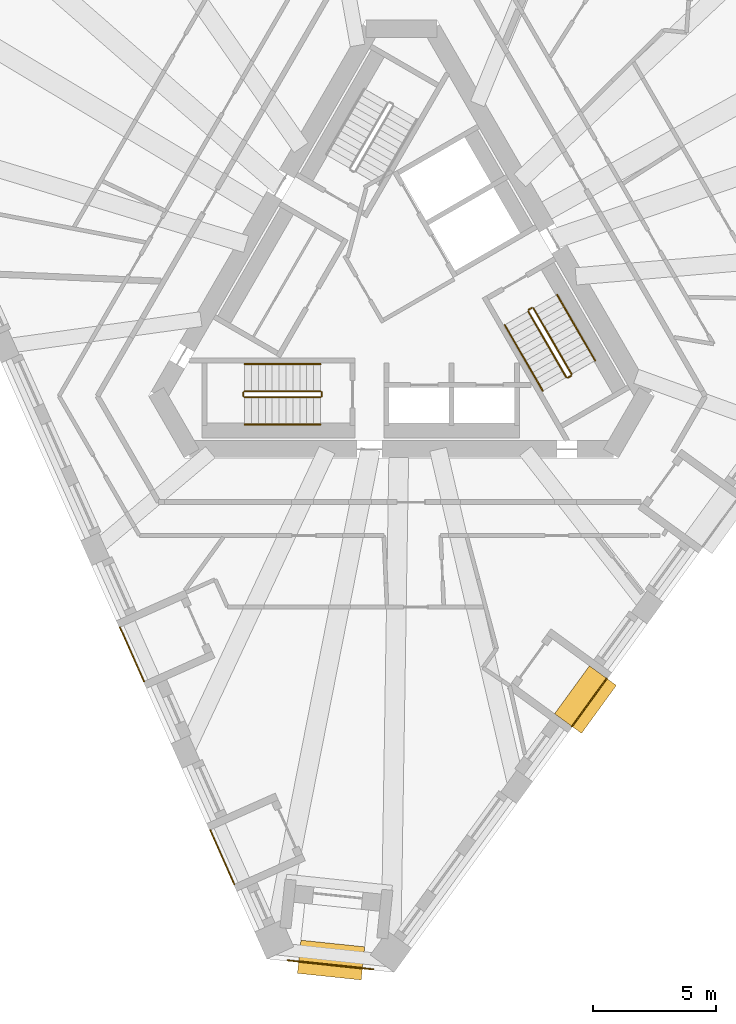
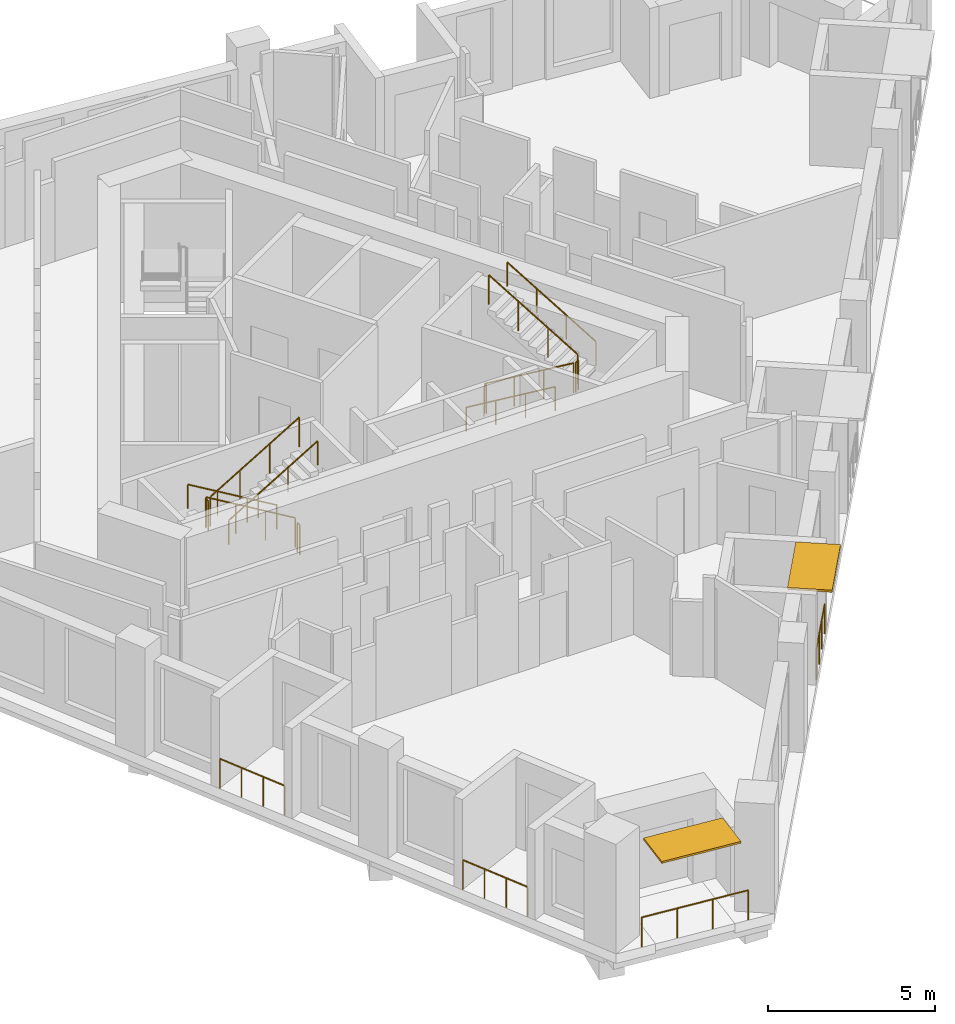
# One storey, part 9 of 11: 16 railings, 2 shading devices.
"""IFC4 building model written with IfcOpenShell, lengths in metres."""

from ifc_helpers import new_model, si_unit, direction, frame, origin, origin_2d, place, context, subcontext, project, spatial, rectangle, circle, extrude, material, layer, layer_set, type_object, element, save


model = new_model("IFC4")

# Units and contexts
model_context = context("Model", 3, precision=1e-05, world=origin(), true_north=direction((0.0, 1.0)))
body_context = subcontext(model_context, "Body", "Model", "MODEL_VIEW")
ifc_project = project(units=[si_unit("LENGTHUNIT", "METRE"), si_unit("AREAUNIT", "SQUARE_METRE"), si_unit("VOLUMEUNIT", "CUBIC_METRE"), si_unit("PLANEANGLEUNIT", "RADIAN"), si_unit("MASSUNIT", "GRAM", prefix="KILO")], contexts=[model_context])

# Site, building, storey
site_placement = place(None, origin())
site = spatial("IfcSite", under=ifc_project, at=site_placement, CompositionType="ELEMENT")
building_placement = place(site_placement, origin())
building = spatial("IfcBuilding", under=site, at=building_placement, Name="Tramontana Tower", CompositionType="ELEMENT")
storey_placement = place(building_placement, frame((0.0, 0.0, 261.199951171875)))
storey = spatial("IfcBuildingStorey", under=building, at=storey_placement, Name="L61", CompositionType="ELEMENT", Elevation=261.199951171875)

# Railings
ifc_material_1 = material(Name="Laminated glass balustrade", Category="glass")
railing_type_1 = type_object("IfcRailingType", Name="GD1 Loggia glass balustrade 1100", PredefinedType="BALUSTRADE", material=ifc_material_1)
for number, where, name in (
    (1, (-11.41455078125, -13.626220703125, 0.0), "Loggia balustrade L61 G6S0.10"),
    (2, (-7.751220703125, -21.854248046875, 0.0), "Loggia balustrade L61 G6S0.13"),
):
    element("IfcRailing", number, at=place(storey_placement, frame(where)), inside=storey, type_object=railing_type_1, Name=name, PredefinedType="BALUSTRADE", context=body_context, shape_type="SweptSolid", body=[
        extrude(circle(Radius=0.02392578125, at=origin_2d()), frame((0.0, 0.0, 1.076171875), z_axis=(0.406723017018, -0.913551524232, 0.0), x_axis=(0.913551524232, 0.406723017018, 0.0)), (0.0, 0.0, 1.0), 2.40234375),
        extrude(circle(Radius=0.02099609375, at=origin_2d()), origin(), (0.0, 0.0, 1.0), 1.052001953125),
        extrude(circle(Radius=0.02099609375, at=origin_2d()), frame((0.32568359375, -0.7314453125, 0.0)), (0.0, 0.0, 1.0), 1.052001953125),
        extrude(circle(Radius=0.02099609375, at=origin_2d()), frame((0.6513671875, -1.463134765625, 0.0)), (0.0, 0.0, 1.0), 1.052001953125),
        extrude(circle(Radius=0.02099609375, at=origin_2d()), frame((0.97705078125, -2.194580078125, 0.0)), (0.0, 0.0, 1.0), 1.052001953125),
    ])
railing_1_placement = place(storey_placement, frame((6.919921875, -17.645263671875, 0.0)))
element("IfcRailing", 3, at=railing_1_placement, inside=storey, type_object=railing_type_1, Name="Loggia balustrade L61 G6S1.4", PredefinedType="BALUSTRADE", context=body_context, shape_type="SweptSolid", body=[
    extrude(circle(Radius=0.02392578125, at=origin_2d()), frame((0.0, 0.0, 1.076171875), z_axis=(0.587784915375, 0.80901723916, 0.0), x_axis=(-0.80901723916, 0.587784915375, 0.0)), (0.0, 0.0, 1.0), 2.40234375),
    extrude(circle(Radius=0.02099609375, at=origin_2d()), origin(), (0.0, 0.0, 1.0), 1.052001953125),
    extrude(circle(Radius=0.02099609375, at=origin_2d()), frame((0.470703125, 0.64794921875, 0.0)), (0.0, 0.0, 1.0), 1.052001953125),
    extrude(circle(Radius=0.02099609375, at=origin_2d()), frame((0.94140625, 1.295654296875, 0.0)), (0.0, 0.0, 1.0), 1.052001953125),
    extrude(circle(Radius=0.02099609375, at=origin_2d()), frame((1.412109375, 1.943603515625, 0.0)), (0.0, 0.0, 1.0), 1.052001953125),
])
railing_2_placement = place(storey_placement, frame((-1.131103515625, -27.50244140625, 0.0)))
element("IfcRailing", 4, at=railing_2_placement, inside=storey, type_object=railing_type_1, Name="Corner loggia balustrade L61 K61", PredefinedType="BALUSTRADE", context=body_context, shape_type="SweptSolid", body=[
    extrude(circle(Radius=0.02392578125, at=origin_2d()), frame((0.0, 0.0, 1.076171875), z_axis=(-0.994518059202, 0.104564955513, 0.0), x_axis=(-0.104564955513, -0.994518059202, 0.0)), (0.0, 0.0, 1.0), 3.5),
    extrude(circle(Radius=0.02099609375, at=origin_2d()), origin(), (0.0, 0.0, 1.0), 1.052001953125),
    extrude(circle(Radius=0.02099609375, at=origin_2d()), frame((-1.16015625, 0.1220703125, 0.0)), (0.0, 0.0, 1.0), 1.052001953125),
    extrude(circle(Radius=0.02099609375, at=origin_2d()), frame((-2.320556640625, 0.243896484375, 0.0)), (0.0, 0.0, 1.0), 1.052001953125),
    extrude(circle(Radius=0.02099609375, at=origin_2d()), frame((-3.480712890625, 0.365966796875, 0.0)), (0.0, 0.0, 1.0), 1.052001953125),
])

# Shading devices
ifc_material_2 = material(Name="Precast concrete 60 MPa", Category="concrete")
ifc_layer_1 = layer(ifc_material_2, 0.070068359375)
ifc_layer_set_1 = layer_set([ifc_layer_1], Name="SS2 Stone sunshade blade 70")
shading_device_type_1 = type_object("IfcShadingDeviceType", Name="SS2 Stone sunshade blade 70", PredefinedType="USERDEFINED", material=ifc_layer_set_1)
shading_device_1_placement = place(storey_placement, frame((-2.85107421875, -27.12548828125, 3.22998046875), z_axis=(0.0, 0.0, 1.0), x_axis=(-0.994521895368, 0.104528463268, 0.0)))
element("IfcShadingDevice", 5, at=shading_device_1_placement, inside=storey, type_object=shading_device_type_1, Name="Corner sunshade L61 K61", ObjectType="SUNSHADE", PredefinedType="USERDEFINED", context=body_context, shape_type="SweptSolid", body=[
    extrude(rectangle(XDim=2.60009765625, YDim=1.35009765625, at=origin_2d()), origin(), (0.0, 0.0, 1.0), 0.070068359375),
])
ifc_material_3 = material(Name="Precast concrete 60 MPa", Category="concrete")
ifc_layer_2 = layer(ifc_material_3, 0.080078125)
ifc_layer_set_2 = layer_set([ifc_layer_2], Name="SS3 Stone sunshade blade 80")
shading_device_type_2 = type_object("IfcShadingDeviceType", Name="SS3 Stone sunshade blade 80", PredefinedType="USERDEFINED", material=ifc_layer_set_2)
shading_device_2_placement = place(storey_placement, frame((7.46826171875, -16.558837890625, 3.219970703125), z_axis=(0.0, 0.0, 1.0), x_axis=(0.587785252292, 0.809016994375, 0.0)))
element("IfcShadingDevice", 6, at=shading_device_2_placement, inside=storey, type_object=shading_device_type_2, Name="Sunshade L61 G6S1.4", ObjectType="SUNSHADE", PredefinedType="USERDEFINED", context=body_context, shape_type="SweptSolid", body=[
    extrude(rectangle(XDim=2.402099609375, YDim=1.35009765625, at=origin_2d()), origin(), (0.0, 0.0, 1.0), 0.080078125),
])

# Railings
ifc_material_4 = material(Name="Painted steel", Category="steel")
railing_type_2 = type_object("IfcRailingType", Name="STAIR GUARD 1100", PredefinedType="GUARDRAIL", material=ifc_material_4)
railing_3_placement = place(storey_placement, frame((-3.280029296875, -4.050048828125, 0.166748046875)))
element("IfcRailing", 7, at=railing_3_placement, inside=storey, type_object=railing_type_2, Name="L61 ST2 stair guard 1", PredefinedType="GUARDRAIL", context=body_context, shape_type="SweptSolid", body=[
    extrude(circle(Radius=0.02392578125, at=origin_2d()), frame((0.0, 0.0, 1.076171875), z_axis=(-0.859308565015, 0.0, 0.511457515432), x_axis=(0.0, -1.0, 0.0)), (0.0, 0.0, 1.0), 3.58447265625),
    extrude(circle(Radius=0.02099609375, at=origin_2d()), origin(), (0.0, 0.0, 1.0), 1.052001953125),
    extrude(circle(Radius=0.02099609375, at=origin_2d()), frame((-1.026611328125, 0.0, 0.611083984375)), (0.0, 0.0, 1.0), 1.052001953125),
    extrude(circle(Radius=0.02099609375, at=origin_2d()), frame((-2.053466796875, 0.0, 1.22216796875)), (0.0, 0.0, 1.0), 1.052001953125),
    extrude(circle(Radius=0.02099609375, at=origin_2d()), frame((-3.080078125, 0.0, 1.833251953125)), (0.0, 0.0, 1.0), 1.052001953125),
])
railing_4_placement = place(storey_placement, frame((-6.360107421875, -4.300048828125, 2.166748046875)))
element("IfcRailing", 8, at=railing_4_placement, inside=storey, type_object=railing_type_2, Name="L61 ST2 stair guard 2", PredefinedType="GUARDRAIL", context=body_context, shape_type="SweptSolid", body=[
    extrude(circle(Radius=0.02392578125, at=origin_2d()), frame((0.0, 0.0, 1.076171875), z_axis=(0.859308565015, 0.0, 0.511457515432), x_axis=(0.0, 1.0, 0.0)), (0.0, 0.0, 1.0), 3.58447265625),
    extrude(circle(Radius=0.02099609375, at=origin_2d()), origin(), (0.0, 0.0, 1.0), 1.052001953125),
    extrude(circle(Radius=0.02099609375, at=origin_2d()), frame((1.026611328125, 0.0, 0.611083984375)), (0.0, 0.0, 1.0), 1.052001953125),
    extrude(circle(Radius=0.02099609375, at=origin_2d()), frame((2.053466796875, 0.0, 1.22216796875)), (0.0, 0.0, 1.0), 1.052001953125),
    extrude(circle(Radius=0.02099609375, at=origin_2d()), frame((3.080078125, 0.0, 1.833251953125)), (0.0, 0.0, 1.0), 1.052001953125),
])
for number, where, name in (
    (9, (-6.409912109375, -4.10009765625, 2.0), "L61 ST2 stair guard 3"),
    (10, (-3.22998046875, -4.10009765625, 0.0), "L61 ST2 stair guard 4"),
):
    element("IfcRailing", number, at=place(storey_placement, frame(where)), inside=storey, type_object=railing_type_2, Name=name, PredefinedType="GUARDRAIL", context=body_context, shape_type="SweptSolid", body=[
        extrude(circle(Radius=0.02392578125, at=origin_2d()), frame((0.0, 0.0, 1.076171875), z_axis=(0.0, -1.0, 0.0), x_axis=(1.0, 0.0, 0.0)), (0.0, 0.0, 1.0), 0.14990234375),
        extrude(circle(Radius=0.02099609375, at=origin_2d()), origin(), (0.0, 0.0, 1.0), 1.052001953125),
        extrude(circle(Radius=0.02099609375, at=origin_2d()), frame((0.0, -0.14990234375, 0.0)), (0.0, 0.0, 1.0), 1.052001953125),
    ])
railing_5_placement = place(storey_placement, frame((5.1474609375, -0.815673828125, 0.166748046875)))
element("IfcRailing", 11, at=railing_5_placement, inside=storey, type_object=railing_type_2, Name="L61 ST3 stair guard 1", PredefinedType="GUARDRAIL", context=body_context, shape_type="SweptSolid", body=[
    extrude(circle(Radius=0.02392578125, at=origin_2d()), frame((0.0, 0.0, 1.076171875), z_axis=(0.429671193721, -0.744159446956, 0.511477646425), x_axis=(0.866010015463, 0.500026652407, 0.0)), (0.0, 0.0, 1.0), 3.584228515625),
    extrude(circle(Radius=0.02099609375, at=origin_2d()), origin(), (0.0, 0.0, 1.0), 1.052001953125),
    extrude(circle(Radius=0.02099609375, at=origin_2d()), frame((0.513427734375, -0.88916015625, 0.611083984375)), (0.0, 0.0, 1.0), 1.052001953125),
    extrude(circle(Radius=0.02099609375, at=origin_2d()), frame((1.026611328125, -1.778076171875, 1.22216796875)), (0.0, 0.0, 1.0), 1.052001953125),
    extrude(circle(Radius=0.02099609375, at=origin_2d()), frame((1.5400390625, -2.667236328125, 1.833251953125)), (0.0, 0.0, 1.0), 1.052001953125),
])
railing_6_placement = place(storey_placement, frame((6.90380859375, -3.35791015625, 2.166748046875)))
element("IfcRailing", 12, at=railing_6_placement, inside=storey, type_object=railing_type_2, Name="L61 ST3 stair guard 2", PredefinedType="GUARDRAIL", context=body_context, shape_type="SweptSolid", body=[
    extrude(circle(Radius=0.02392578125, at=origin_2d()), frame((0.0, 0.0, 1.076171875), z_axis=(-0.429615651263, 0.74418122563, 0.511492615401), x_axis=(-0.866044340336, -0.499967199496, 0.0)), (0.0, 0.0, 1.0), 3.584228515625),
    extrude(circle(Radius=0.02099609375, at=origin_2d()), origin(), (0.0, 0.0, 1.0), 1.052001953125),
    extrude(circle(Radius=0.02099609375, at=origin_2d()), frame((-0.51318359375, 0.88916015625, 0.611083984375)), (0.0, 0.0, 1.0), 1.052001953125),
    extrude(circle(Radius=0.02099609375, at=origin_2d()), frame((-1.026611328125, 1.778076171875, 1.22216796875)), (0.0, 0.0, 1.0), 1.052001953125),
    extrude(circle(Radius=0.02099609375, at=origin_2d()), frame((-1.539794921875, 2.667236328125, 1.833251953125)), (0.0, 0.0, 1.0), 1.052001953125),
])
for number, where, name in (
    (13, (6.755615234375, -3.501220703125, 2.0), "L61 ST3 stair guard 3"),
    (14, (5.165771484375, -0.747314453125, 0.0), "L61 ST3 stair guard 4"),
):
    element("IfcRailing", number, at=place(storey_placement, frame(where)), inside=storey, type_object=railing_type_2, Name=name, PredefinedType="GUARDRAIL", context=body_context, shape_type="SweptSolid", body=[
        extrude(circle(Radius=0.02392578125, at=origin_2d()), frame((0.0, 0.0, 1.076171875), z_axis=(0.866131372301, 0.499816412211, 0.0), x_axis=(-0.499816412211, 0.866131372301, 0.0)), (0.0, 0.0, 1.0), 0.14990234375),
        extrude(circle(Radius=0.02099609375, at=origin_2d()), origin(), (0.0, 0.0, 1.0), 1.052001953125),
        extrude(circle(Radius=0.02099609375, at=origin_2d()), frame((0.1298828125, 0.074951171875, 0.0)), (0.0, 0.0, 1.0), 1.052001953125),
    ])
ifc_material_5 = material(Name="Painted steel", Category="steel")
railing_type_3 = type_object("IfcRailingType", Name="STAIR HANDRAIL 900", PredefinedType="HANDRAIL", material=ifc_material_5)
railing_7_placement = place(storey_placement, frame((-3.280029296875, -2.949951171875, 0.166748046875)))
element("IfcRailing", 15, at=railing_7_placement, inside=storey, type_object=railing_type_3, Name="L61 ST2 stair handrail 1", PredefinedType="HANDRAIL", context=body_context, shape_type="SweptSolid", body=[
    extrude(circle(Radius=0.02392578125, at=origin_2d()), frame((0.0, 0.0, 0.8759765625), z_axis=(-0.859308565015, 0.0, 0.511457515432), x_axis=(0.0, -1.0, 0.0)), (0.0, 0.0, 1.0), 3.58447265625),
    extrude(circle(Radius=0.02099609375, at=origin_2d()), origin(), (0.0, 0.0, 1.0), 0.851806640625),
    extrude(circle(Radius=0.02099609375, at=origin_2d()), frame((-1.026611328125, 0.0, 0.611083984375)), (0.0, 0.0, 1.0), 0.851806640625),
    extrude(circle(Radius=0.02099609375, at=origin_2d()), frame((-2.053466796875, 0.0, 1.22216796875)), (0.0, 0.0, 1.0), 0.851806640625),
    extrude(circle(Radius=0.02099609375, at=origin_2d()), frame((-3.080078125, 0.0, 1.833251953125)), (0.0, 0.0, 1.0), 0.851806640625),
])
railing_8_placement = place(storey_placement, frame((-6.360107421875, -5.39990234375, 2.166748046875)))
element("IfcRailing", 16, at=railing_8_placement, inside=storey, type_object=railing_type_3, Name="L61 ST2 stair handrail 2", PredefinedType="HANDRAIL", context=body_context, shape_type="SweptSolid", body=[
    extrude(circle(Radius=0.02392578125, at=origin_2d()), frame((0.0, 0.0, 0.8759765625), z_axis=(0.859308565015, 0.0, 0.511457515432), x_axis=(0.0, 1.0, 0.0)), (0.0, 0.0, 1.0), 3.58447265625),
    extrude(circle(Radius=0.02099609375, at=origin_2d()), origin(), (0.0, 0.0, 1.0), 0.851806640625),
    extrude(circle(Radius=0.02099609375, at=origin_2d()), frame((1.026611328125, 0.0, 0.611083984375)), (0.0, 0.0, 1.0), 0.851806640625),
    extrude(circle(Radius=0.02099609375, at=origin_2d()), frame((2.053466796875, 0.0, 1.22216796875)), (0.0, 0.0, 1.0), 0.851806640625),
    extrude(circle(Radius=0.02099609375, at=origin_2d()), frame((3.080078125, 0.0, 1.833251953125)), (0.0, 0.0, 1.0), 0.851806640625),
])
railing_9_placement = place(storey_placement, frame((4.19482421875, -1.365478515625, 0.166748046875)))
element("IfcRailing", 17, at=railing_9_placement, inside=storey, type_object=railing_type_3, Name="L61 ST3 stair handrail 1", PredefinedType="HANDRAIL", context=body_context, shape_type="SweptSolid", body=[
    extrude(circle(Radius=0.02392578125, at=origin_2d()), frame((0.0, 0.0, 0.8759765625), z_axis=(0.429649414936, -0.744189839504, 0.511451721109), x_axis=(0.866029832698, 0.499992328818, 0.0)), (0.0, 0.0, 1.0), 3.58447265625),
    extrude(circle(Radius=0.02099609375, at=origin_2d()), origin(), (0.0, 0.0, 1.0), 0.851806640625),
    extrude(circle(Radius=0.02099609375, at=origin_2d()), frame((0.513427734375, -0.88916015625, 0.611083984375)), (0.0, 0.0, 1.0), 0.851806640625),
    extrude(circle(Radius=0.02099609375, at=origin_2d()), frame((1.026611328125, -1.7783203125, 1.22216796875)), (0.0, 0.0, 1.0), 0.851806640625),
    extrude(circle(Radius=0.02099609375, at=origin_2d()), frame((1.5400390625, -2.66748046875, 1.833251953125)), (0.0, 0.0, 1.0), 0.851806640625),
])
railing_10_placement = place(storey_placement, frame((7.8564453125, -2.807861328125, 2.166748046875)))
element("IfcRailing", 18, at=railing_10_placement, inside=storey, type_object=railing_type_3, Name="L61 ST3 stair handrail 2", PredefinedType="HANDRAIL", context=body_context, shape_type="SweptSolid", body=[
    extrude(circle(Radius=0.02392578125, at=origin_2d()), frame((0.0, 0.0, 0.8759765625), z_axis=(-0.429615651263, 0.74418122563, 0.511492615401), x_axis=(-0.866044340336, -0.499967199496, 0.0)), (0.0, 0.0, 1.0), 3.584228515625),
    extrude(circle(Radius=0.02099609375, at=origin_2d()), origin(), (0.0, 0.0, 1.0), 0.851806640625),
    extrude(circle(Radius=0.02099609375, at=origin_2d()), frame((-0.51318359375, 0.88916015625, 0.611083984375)), (0.0, 0.0, 1.0), 0.851806640625),
    extrude(circle(Radius=0.02099609375, at=origin_2d()), frame((-1.026611328125, 1.778076171875, 1.22216796875)), (0.0, 0.0, 1.0), 0.851806640625),
    extrude(circle(Radius=0.02099609375, at=origin_2d()), frame((-1.539794921875, 2.667236328125, 1.833251953125)), (0.0, 0.0, 1.0), 0.851806640625),
])

save(model, "model.ifc")
